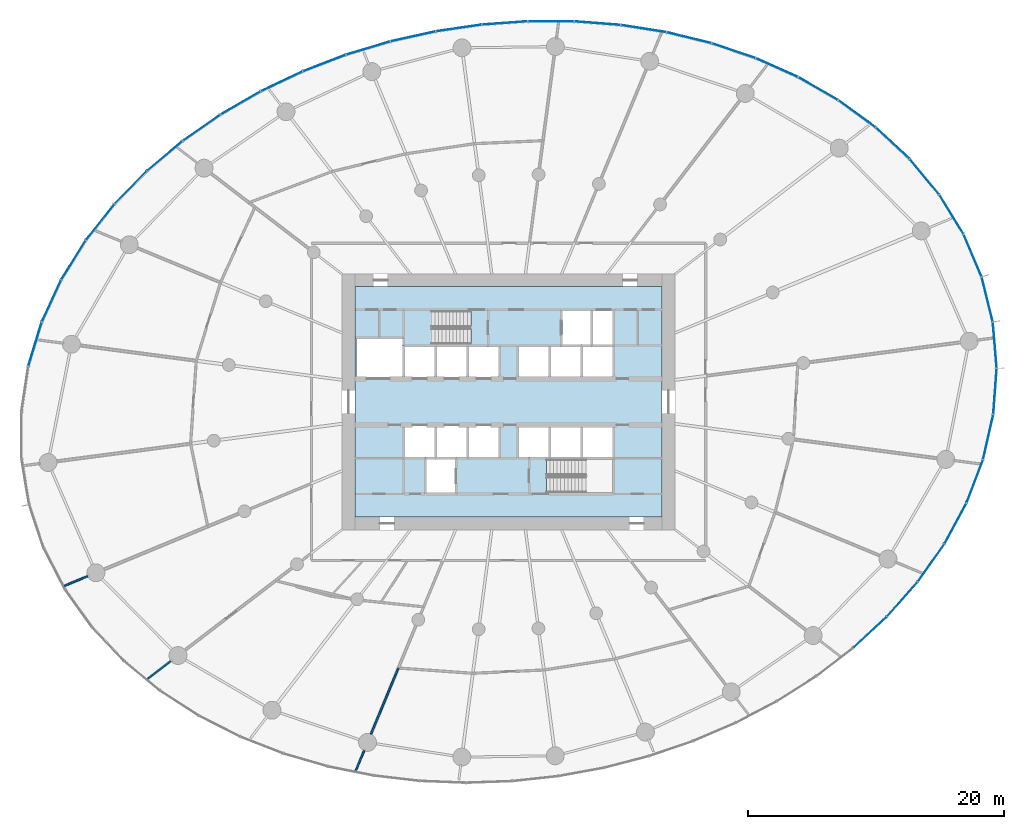
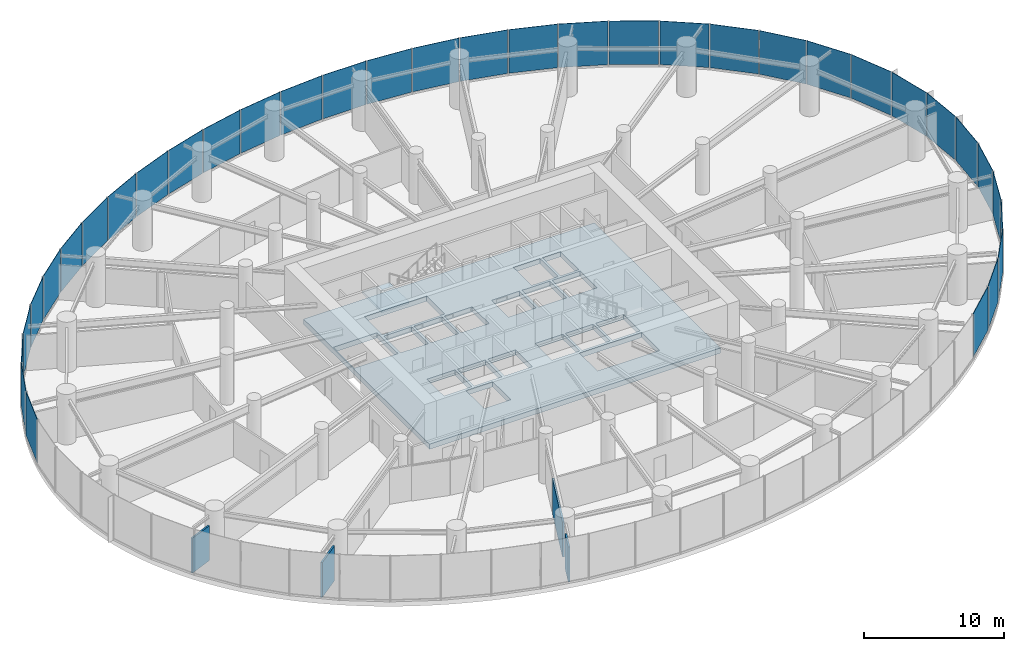
# One storey, part 11 of 19: 35 plates, 4 walls, 2 slabs, 8 elements without a shape of their own.
"""IFC4 building model written with IfcOpenShell, lengths in metres."""

from ifc_helpers import new_model, si_unit, direction, frame, frame_2d, origin, origin_2d, place, context, subcontext, project, spatial, line, indexed_curve, rectangle, outline, extrude, source, transform, mapped, material, layer, layer_set, type_object, element, aggregate, save


model = new_model("IFC4")

# Units and contexts
model_context = context("Model", 3, precision=1e-05, world=origin(), true_north=direction((0.0, 1.0)))
body_context = subcontext(model_context, "Body", "Model", "MODEL_VIEW")
ifc_project = project(units=[si_unit("LENGTHUNIT", "METRE"), si_unit("AREAUNIT", "SQUARE_METRE"), si_unit("VOLUMEUNIT", "CUBIC_METRE"), si_unit("PLANEANGLEUNIT", "RADIAN"), si_unit("MASSUNIT", "GRAM", prefix="KILO")], contexts=[model_context])

# Site, building, storey
site_placement = place(None, origin())
site = spatial("IfcSite", under=ifc_project, at=site_placement, CompositionType="ELEMENT")
building_placement = place(site_placement, origin())
building = spatial("IfcBuilding", under=site, at=building_placement, Name="Spindrift Exchange Tower", CompositionType="ELEMENT")
storey_placement = place(building_placement, frame((0.0, 0.0, 44.60009765625)))
storey = spatial("IfcBuildingStorey", under=building, at=storey_placement, Name="L10", CompositionType="ELEMENT", Elevation=44.60009765625)

# Slab
ifc_material_1 = material(Name="Concrete 50 MPa", Category="concrete")
ifc_layer_1 = layer(ifc_material_1, 0.449951171875)
ifc_layer_set_1 = layer_set([ifc_layer_1], Name="SL-CORE-FLOOR-450")
slab_type_1 = type_object("IfcSlabType", Name="SL-CORE-FLOOR-450", PredefinedType="FLOOR", material=ifc_layer_set_1)
slab_1_placement = place(storey_placement, frame((0.0, 0.0, -0.4501953125)))
element("IfcSlab", 1, at=slab_1_placement, inside=storey, type_object=slab_type_1, Name="L10 Core floor slab", PredefinedType="FLOOR", context=body_context, shape_type="SweptSolid", body=[
    extrude(outline(indexed_curve([(40.0, 39.0), (40.0, 57.0), (64.0, 57.0), (64.0, 39.0)], segments=[line(1, 2, 3, 4, 1)], self_intersect=False), holes=[indexed_curve([(47.800048828125, 43.5), (45.60009765625, 43.5), (45.60009765625, 40.89990234375), (47.800048828125, 40.89990234375)], segments=[line(1, 2, 3, 4, 1)], self_intersect=False), indexed_curve([(46.199951171875, 46.10009765625), (43.89990234375, 46.10009765625), (43.89990234375, 43.699951171875), (46.199951171875, 43.699951171875)], segments=[line(1, 2, 3, 4, 1)], self_intersect=False), indexed_curve([(48.699951171875, 46.10009765625), (46.39990234375, 46.10009765625), (46.39990234375, 43.699951171875), (48.699951171875, 43.699951171875)], segments=[line(1, 2, 3, 4, 1)], self_intersect=False), indexed_curve([(51.199951171875, 46.10009765625), (48.89990234375, 46.10009765625), (48.89990234375, 43.699951171875), (51.199951171875, 43.699951171875)], segments=[line(1, 2, 3, 4, 1)], self_intersect=False), indexed_curve([(46.199951171875, 52.300048828125), (43.89990234375, 52.300048828125), (43.89990234375, 49.89990234375), (46.199951171875, 49.89990234375)], segments=[line(1, 2, 3, 4, 1)], self_intersect=False), indexed_curve([(48.699951171875, 52.300048828125), (46.39990234375, 52.300048828125), (46.39990234375, 49.89990234375), (48.699951171875, 49.89990234375)], segments=[line(1, 2, 3, 4, 1)], self_intersect=False), indexed_curve([(51.199951171875, 52.300048828125), (48.89990234375, 52.300048828125), (48.89990234375, 49.89990234375), (51.199951171875, 49.89990234375)], segments=[line(1, 2, 3, 4, 1)], self_intersect=False), indexed_curve([(43.699951171875, 49.89990234375), (43.699951171875, 52.89990234375), (40.10009765625, 52.89990234375), (40.10009765625, 49.89990234375)], segments=[line(1, 2, 3, 4, 1)], self_intersect=False), indexed_curve([(49.0439453125, 55.093994140625), (43.906005859375, 55.093994140625), (43.906005859375, 52.506103515625), (49.0439453125, 52.506103515625)], segments=[line(1, 2, 3, 4, 1)], self_intersect=False), indexed_curve([(60.093994140625, 40.906005859375), (60.093994140625, 43.493896484375), (54.9560546875, 43.493896484375), (54.9560546875, 40.906005859375)], segments=[line(1, 2, 3, 4, 1)], self_intersect=False), indexed_curve([(55.10009765625, 46.10009765625), (52.800048828125, 46.10009765625), (52.800048828125, 43.699951171875), (55.10009765625, 43.699951171875)], segments=[line(1, 2, 3, 4, 1)], self_intersect=False), indexed_curve([(57.60009765625, 46.10009765625), (55.300048828125, 46.10009765625), (55.300048828125, 43.699951171875), (57.60009765625, 43.699951171875)], segments=[line(1, 2, 3, 4, 1)], self_intersect=False), indexed_curve([(60.10009765625, 46.10009765625), (57.800048828125, 46.10009765625), (57.800048828125, 43.699951171875), (60.10009765625, 43.699951171875)], segments=[line(1, 2, 3, 4, 1)], self_intersect=False), indexed_curve([(55.10009765625, 52.300048828125), (52.800048828125, 52.300048828125), (52.800048828125, 49.89990234375), (55.10009765625, 49.89990234375)], segments=[line(1, 2, 3, 4, 1)], self_intersect=False), indexed_curve([(57.60009765625, 52.300048828125), (55.300048828125, 52.300048828125), (55.300048828125, 49.89990234375), (57.60009765625, 49.89990234375)], segments=[line(1, 2, 3, 4, 1)], self_intersect=False), indexed_curve([(60.10009765625, 52.300048828125), (57.800048828125, 52.300048828125), (57.800048828125, 49.89990234375), (60.10009765625, 49.89990234375)], segments=[line(1, 2, 3, 4, 1)], self_intersect=False), indexed_curve([(58.39990234375, 52.5), (58.39990234375, 55.10009765625), (56.199951171875, 55.10009765625), (56.199951171875, 52.5)], segments=[line(1, 2, 3, 4, 1)], self_intersect=False), indexed_curve([(60.10009765625, 52.5), (60.10009765625, 55.10009765625), (58.60009765625, 55.10009765625), (58.60009765625, 52.5)], segments=[line(1, 2, 3, 4, 1)], self_intersect=False)]), origin(), (0.0, 0.0, 1.0), 0.4501953125),
])

# Stair, slab
stair_type = type_object("IfcStairType", Name="ST-1250-R183", PredefinedType="HALF_TURN_STAIR", material=ifc_material_1)
stair_placement = place(storey_placement, origin())
stair = element("IfcStair", 2, at=stair_placement, inside=storey, type_object=stair_type, Name="L10 Exit stair ST1", PredefinedType="HALF_TURN_STAIR")
ifc_layer_2 = layer(ifc_material_1, 0.199951171875)
ifc_layer_set_2 = layer_set([ifc_layer_2], Name="SL-LANDING")
slab_type_2 = type_object("IfcSlabType", Name="SL-LANDING", PredefinedType="LANDING", material=ifc_layer_set_2)
slab_2_placement = place(storey_placement, frame((0.0, 0.0, 2.0)))
slab_2 = element("IfcSlab", 3, at=slab_2_placement, type_object=slab_type_2, Name="ST1 landing 1", PredefinedType="LANDING", context=body_context, shape_type="SweptSolid", body=[
    extrude(outline(indexed_curve([(46.050048828125, 52.39990234375), (43.800048828125, 52.39990234375), (43.800048828125, 55.199951171875), (46.050048828125, 55.199951171875)], segments=[line(1, 2, 3, 4, 1)], self_intersect=False)), origin(), (0.0, 0.0, 1.0), 0.199951171875),
])
aggregate(stair, [slab_2])

# Curtain wall, plate
ifc_material_2 = material(Name="Fritted laminated glass with bronze frame", Category="glass")
ifc_layer_3 = layer(ifc_material_2, 0.199951171875)
ifc_layer_set_3 = layer_set([ifc_layer_3], Name="ZONE 1 BRONZE FRITTED WALL")
curtain_wall_type = type_object("IfcCurtainWallType", Name="ZONE 1 BRONZE FRITTED WALL", PredefinedType="NOTDEFINED", material=ifc_layer_set_3)
curtain_wall_1_placement = place(storey_placement, origin())
curtain_wall_1 = element("IfcCurtainWall", 4, at=curtain_wall_1_placement, inside=storey, type_object=curtain_wall_type, Name="L10 Zone 1 Bronze Fritted Wall run 5", PredefinedType="NOTDEFINED")
ifc_material_3 = material(Name="Bronze fritted laminated glass, dense frit", Category="glass")
ifc_layer_4 = layer(ifc_material_3, 0.035888671875)
ifc_layer_set_4 = layer_set([ifc_layer_4], Name="ZONE 1 BRONZE FRITTED WALL PANEL DENSE FRIT 180")
plate_type_1 = type_object("IfcPlateType", Name="ZONE 1 BRONZE FRITTED WALL PANEL DENSE FRIT 180", PredefinedType="CURTAIN_PANEL", material=ifc_layer_set_4)
shared_shape_1 = source(origin(), body_context, "Body", "SweptSolid", [
    extrude(rectangle(XDim=3.5458984375, YDim=0.035888671875, at=origin_2d()), origin(), (0.0, 0.0, 1.0), 3.800048828125),
])
plate_1_placement = place(storey_placement, frame((17.989501953125, 59.07080078125, 0.14990234375), z_axis=(0.0, 0.0, 1.0), x_axis=(-0.527683923122, -0.849440802692, 0.0)))
plate_1 = element("IfcPlate", 5, at=plate_1_placement, type_object=plate_type_1, Name="L10 panel CW-1.25", PredefinedType="CURTAIN_PANEL", context=body_context, shape_type="MappedRepresentation", body=[
    mapped(shared_shape_1, transform((0.0, 0.0, 0.0), scale=1.0)),
])

curtain_wall_2_placement = place(storey_placement, origin())
curtain_wall_2 = element("IfcCurtainWall", 6, at=curtain_wall_2_placement, inside=storey, type_object=curtain_wall_type, Name="L10 Zone 1 Bronze Fritted Wall run 10", PredefinedType="NOTDEFINED")
plate_2_placement = place(storey_placement, frame((86.91748046875, 38.49609375, 0.14990234375), z_axis=(0.0, 0.0, 1.0), x_axis=(0.474896325387, 0.880041749086, 0.0)))
plate_2 = element("IfcPlate", 7, at=plate_2_placement, type_object=plate_type_1, Name="L10 panel CW-1.55", PredefinedType="CURTAIN_PANEL", context=body_context, shape_type="MappedRepresentation", body=[
    mapped(shared_shape_1, transform((0.0, 0.0, 0.0), scale=1.0)),
])

curtain_wall_3_placement = place(storey_placement, origin())
curtain_wall_3 = element("IfcCurtainWall", 8, at=curtain_wall_3_placement, inside=storey, type_object=curtain_wall_type, Name="L10 Zone 1 Bronze Fritted Wall run 9", PredefinedType="NOTDEFINED")
ifc_layer_5 = layer(ifc_material_3, 0.035888671875)
ifc_layer_set_5 = layer_set([ifc_layer_5], Name="ZONE 1 BRONZE FRITTED WALL PANEL DENSE FRIT 300")
plate_type_2 = type_object("IfcPlateType", Name="ZONE 1 BRONZE FRITTED WALL PANEL DENSE FRIT 300", PredefinedType="CURTAIN_PANEL", material=ifc_layer_set_5)
shared_shape_2 = source(origin(), body_context, "Body", "SweptSolid", [
    extrude(rectangle(XDim=3.54638671875, YDim=0.035888671875, at=origin_2d()), origin(), (0.0, 0.0, 1.0), 3.800048828125),
])
plate_3_placement = place(storey_placement, frame((85.011474609375, 35.418701171875, 0.14990234375), z_axis=(0.0, 0.0, 1.0), x_axis=(0.576349594377, 0.817203245871, 0.0)))
plate_3 = element("IfcPlate", 9, at=plate_3_placement, type_object=plate_type_2, Name="L10 panel CW-1.54", PredefinedType="CURTAIN_PANEL", context=body_context, shape_type="MappedRepresentation", body=[
    mapped(shared_shape_2, transform((0.0, 0.0, 0.0), scale=1.0)),
])

curtain_wall_4_placement = place(storey_placement, origin())
curtain_wall_4 = element("IfcCurtainWall", 10, at=curtain_wall_4_placement, inside=storey, type_object=curtain_wall_type, Name="L10 Zone 1 Bronze Fritted Wall run 4", PredefinedType="NOTDEFINED")
shared_shape_3 = source(origin(), body_context, "Body", "SweptSolid", [
    extrude(rectangle(XDim=3.546875, YDim=0.035888671875, at=origin_2d()), origin(), (0.0, 0.0, 1.0), 3.800048828125),
])
plate_4_placement = place(storey_placement, frame((25.124267578125, 67.2109375, 0.14990234375), z_axis=(0.0, 0.0, 1.0), x_axis=(-0.765522518547, -0.643409102825, 0.0)))
plate_4 = element("IfcPlate", 11, at=plate_4_placement, type_object=plate_type_2, Name="L10 panel CW-1.22", PredefinedType="CURTAIN_PANEL", context=body_context, shape_type="MappedRepresentation", body=[
    mapped(shared_shape_3, transform((0.0, 0.0, 0.0), scale=1.0)),
])

# Plate
plate_5_placement = place(storey_placement, frame((80.23388671875, 29.988037109375, 0.14990234375), z_axis=(0.0, 0.0, 1.0), x_axis=(0.734115147297, 0.679024999914, 0.0)))
plate_5 = element("IfcPlate", 12, at=plate_5_placement, type_object=plate_type_2, Name="L10 panel CW-1.52", PredefinedType="CURTAIN_PANEL", context=body_context, shape_type="MappedRepresentation", body=[
    mapped(shared_shape_3, transform((0.0, 0.0, 0.0), scale=1.0)),
])

# Curtain wall, plate
curtain_wall_5_placement = place(storey_placement, origin())
curtain_wall_5 = element("IfcCurtainWall", 13, at=curtain_wall_5_placement, inside=storey, type_object=curtain_wall_type, Name="L10 Zone 1 Bronze Fritted Wall run 2", PredefinedType="NOTDEFINED")
ifc_layer_6 = layer(ifc_material_3, 0.035888671875)
ifc_layer_set_6 = layer_set([ifc_layer_6], Name="ZONE 1 BRONZE FRITTED WALL PANEL DENSE FRIT 420")
plate_type_3 = type_object("IfcPlateType", Name="ZONE 1 BRONZE FRITTED WALL PANEL DENSE FRIT 420", PredefinedType="CURTAIN_PANEL", material=ifc_layer_set_6)
shared_shape_4 = source(origin(), body_context, "Body", "SweptSolid", [
    extrude(rectangle(XDim=3.547119140625, YDim=0.035888671875, at=origin_2d()), origin(), (0.0, 0.0, 1.0), 3.800048828125),
])
plate_6_placement = place(storey_placement, frame((66.1025390625, 76.45361328125, 0.14990234375), z_axis=(0.0, 0.0, 1.0), x_axis=(-0.971579700575, 0.236712664281, 0.0)))
plate_6 = element("IfcPlate", 14, at=plate_6_placement, type_object=plate_type_3, Name="L10 panel CW-1.10", PredefinedType="CURTAIN_PANEL", context=body_context, shape_type="MappedRepresentation", body=[
    mapped(shared_shape_4, transform((0.0, 0.0, 0.0), scale=1.0)),
])

# Plate
plate_7_placement = place(storey_placement, frame((31.05810546875, 71.359619140625, 0.14990234375), z_axis=(0.0, 0.0, 1.0), x_axis=(-0.865787941428, -0.500411071498, 0.0)))
plate_7 = element("IfcPlate", 15, at=plate_7_placement, type_object=plate_type_3, Name="L10 panel CW-1.20", PredefinedType="CURTAIN_PANEL", context=body_context, shape_type="MappedRepresentation", body=[
    mapped(shared_shape_4, transform((0.0, 0.0, 0.0), scale=1.0)),
])

# Curtain wall, plates
curtain_wall_6_placement = place(storey_placement, origin())
curtain_wall_6 = element("IfcCurtainWall", 16, at=curtain_wall_6_placement, inside=storey, type_object=curtain_wall_type, Name="L10 Zone 1 Bronze Fritted Wall run 3", PredefinedType="NOTDEFINED")
shared_shape_5 = source(origin(), body_context, "Body", "SweptSolid", [
    extrude(rectangle(XDim=3.54736328125, YDim=0.035888671875, at=origin_2d()), origin(), (0.0, 0.0, 1.0), 3.800048828125),
])
plate_8_placement = place(storey_placement, frame((41.0283203125, 75.64501953125, 0.14990234375), z_axis=(0.0, 0.0, 1.0), x_axis=(-0.9577954075, -0.287450791217, 0.0)))
plate_8 = element("IfcPlate", 17, at=plate_8_placement, type_object=plate_type_2, Name="L10 panel CW-1.17", PredefinedType="CURTAIN_PANEL", context=body_context, shape_type="MappedRepresentation", body=[
    mapped(shared_shape_5, transform((0.0, 0.0, 0.0), scale=1.0)),
])
plate_9_placement = place(storey_placement, frame((37.597900390625, 74.473876953125, 0.14990234375), z_axis=(0.0, 0.0, 1.0), x_axis=(-0.933604192306, -0.358306031359, 0.0)))
plate_9 = element("IfcPlate", 18, at=plate_9_placement, type_object=plate_type_2, Name="L10 panel CW-1.18", PredefinedType="CURTAIN_PANEL", context=body_context, shape_type="MappedRepresentation", body=[
    mapped(shared_shape_5, transform((0.0, 0.0, 0.0), scale=1.0)),
])
shared_shape_6 = source(origin(), body_context, "Body", "SweptSolid", [
    extrude(rectangle(XDim=3.54736328125, YDim=0.035888671875, at=origin_2d()), origin(), (0.0, 0.0, 1.0), 3.800048828125),
])
plate_10_placement = place(storey_placement, frame((51.705078125, 77.60693359375, 0.14990234375), z_axis=(0.0, 0.0, 1.0), x_axis=(-0.997398054056, -0.072091065773, 0.0)))
plate_10 = element("IfcPlate", 19, at=plate_10_placement, type_object=plate_type_1, Name="L10 panel CW-1.14", PredefinedType="CURTAIN_PANEL", context=body_context, shape_type="MappedRepresentation", body=[
    mapped(shared_shape_6, transform((0.0, 0.0, 0.0), scale=1.0)),
])

# Plate
shared_shape_7 = source(origin(), body_context, "Body", "SweptSolid", [
    extrude(rectangle(XDim=3.54736328125, YDim=0.035888671875, at=origin_2d()), origin(), (0.0, 0.0, 1.0), 3.800048828125),
])
plate_11_placement = place(storey_placement, frame((62.549072265625, 77.165771484375, 0.14990234375), z_axis=(0.0, 0.0, 1.0), x_axis=(-0.987772291015, 0.155903499327, 0.0)))
plate_11 = element("IfcPlate", 20, at=plate_11_placement, type_object=plate_type_3, Name="L10 panel CW-1.11", PredefinedType="CURTAIN_PANEL", context=body_context, shape_type="MappedRepresentation", body=[
    mapped(shared_shape_7, transform((0.0, 0.0, 0.0), scale=1.0)),
])

plate_12_placement = place(storey_placement, frame((58.94970703125, 77.589599609375, 0.14990234375), z_axis=(0.0, 0.0, 1.0), x_axis=(-0.996969014732, 0.077799637946, 0.0)))
plate_12 = element("IfcPlate", 21, at=plate_12_placement, type_object=plate_type_3, Name="L10 panel CW-1.12", PredefinedType="CURTAIN_PANEL", context=body_context, shape_type="MappedRepresentation", body=[
    mapped(shared_shape_7, transform((0.0, 0.0, 0.0), scale=1.0)),
])

plate_13_placement = place(storey_placement, frame((55.32763671875, 77.734130859375, 0.14990234375), z_axis=(0.0, 0.0, 1.0), x_axis=(-0.999998136906, 0.001930332954, 0.0)))
plate_13 = element("IfcPlate", 22, at=plate_13_placement, type_object=plate_type_3, Name="L10 panel CW-1.13", PredefinedType="CURTAIN_PANEL", context=body_context, shape_type="MappedRepresentation", body=[
    mapped(shared_shape_7, transform((0.0, 0.0, 0.0), scale=1.0)),
])

plate_14_placement = place(storey_placement, frame((44.5361328125, 76.558837890625, 0.14990234375), z_axis=(0.0, 0.0, 1.0), x_axis=(-0.976314136097, -0.216357823196, 0.0)))
plate_14 = element("IfcPlate", 23, at=plate_14_placement, type_object=plate_type_3, Name="L10 panel CW-1.16", PredefinedType="CURTAIN_PANEL", context=body_context, shape_type="MappedRepresentation", body=[
    mapped(shared_shape_7, transform((0.0, 0.0, 0.0), scale=1.0)),
])

plate_15_placement = place(storey_placement, frame((34.2666015625, 73.04541015625, 0.14990234375), z_axis=(0.0, 0.0, 1.0), x_axis=(-0.903201992592, -0.429215750616, 0.0)))
plate_15 = element("IfcPlate", 24, at=plate_15_placement, type_object=plate_type_3, Name="L10 panel CW-1.19", PredefinedType="CURTAIN_PANEL", context=body_context, shape_type="MappedRepresentation", body=[
    mapped(shared_shape_7, transform((0.0, 0.0, 0.0), scale=1.0)),
])

shared_shape_8 = source(origin(), body_context, "Body", "SweptSolid", [
    extrude(rectangle(XDim=3.547119140625, YDim=0.035888671875, at=origin_2d()), origin(), (0.0, 0.0, 1.0), 3.800048828125),
])
plate_16_placement = place(storey_placement, frame((28.000244140625, 69.414794921875, 0.14990234375), z_axis=(0.0, 0.0, 1.0), x_axis=(-0.820341561532, -0.571873869331, 0.0)))
plate_16 = element("IfcPlate", 25, at=plate_16_placement, type_object=plate_type_1, Name="L10 panel CW-1.21", PredefinedType="CURTAIN_PANEL", context=body_context, shape_type="MappedRepresentation", body=[
    mapped(shared_shape_8, transform((0.0, 0.0, 0.0), scale=1.0)),
])

shared_shape_9 = source(origin(), body_context, "Body", "SweptSolid", [
    extrude(rectangle(XDim=3.546875, YDim=0.035888671875, at=origin_2d()), origin(), (0.0, 0.0, 1.0), 3.800048828125),
])
plate_17_placement = place(storey_placement, frame((72.956298828125, 74.123291015625, 0.14990234375), z_axis=(0.0, 0.0, 1.0), x_axis=(-0.913257013232, 0.407383882576, 0.0)))
plate_17 = element("IfcPlate", 26, at=plate_17_placement, type_object=plate_type_3, Name="L10 panel CW-1.8", PredefinedType="CURTAIN_PANEL", context=body_context, shape_type="MappedRepresentation", body=[
    mapped(shared_shape_9, transform((0.0, 0.0, 0.0), scale=1.0)),
])

shared_shape_10 = source(origin(), body_context, "Body", "SweptSolid", [
    extrude(rectangle(XDim=3.546630859375, YDim=0.035888671875, at=origin_2d()), origin(), (0.0, 0.0, 1.0), 3.800048828125),
])
plate_18_placement = place(storey_placement, frame((76.185791015625, 72.48291015625, 0.14990234375), z_axis=(0.0, 0.0, 1.0), x_axis=(-0.867674363563, 0.497132979007, 0.0)))
plate_18 = element("IfcPlate", 27, at=plate_18_placement, type_object=plate_type_1, Name="L10 panel CW-1.7", PredefinedType="CURTAIN_PANEL", context=body_context, shape_type="MappedRepresentation", body=[
    mapped(shared_shape_10, transform((0.0, 0.0, 0.0), scale=1.0)),
])

shared_shape_11 = source(origin(), body_context, "Body", "SweptSolid", [
    extrude(rectangle(XDim=3.545654296875, YDim=0.035888671875, at=origin_2d()), origin(), (0.0, 0.0, 1.0), 3.800048828125),
])
plate_19_placement = place(storey_placement, frame((16.275146484375, 55.884033203125, 0.14990234375), z_axis=(0.0, 0.0, 1.0), x_axis=(-0.417940012166, -0.90847462608, 0.0)))
plate_19 = element("IfcPlate", 28, at=plate_19_placement, type_object=plate_type_1, Name="L10 panel CW-1.26", PredefinedType="CURTAIN_PANEL", context=body_context, shape_type="MappedRepresentation", body=[
    mapped(shared_shape_11, transform((0.0, 0.0, 0.0), scale=1.0)),
])

# Curtain wall, plate
curtain_wall_7_placement = place(storey_placement, origin())
curtain_wall_7 = element("IfcCurtainWall", 29, at=curtain_wall_7_placement, inside=storey, type_object=curtain_wall_type, Name="L10 Zone 1 Bronze Fritted Wall run 1", PredefinedType="NOTDEFINED")
shared_shape_12 = source(origin(), body_context, "Body", "SweptSolid", [
    extrude(rectangle(XDim=3.54443359375, YDim=0.035888671875, at=origin_2d()), origin(), (0.0, 0.0, 1.0), 3.800048828125),
])
plate_20_placement = place(storey_placement, frame((89.402587890625, 55.998291015625, 0.14990234375), z_axis=(0.0, 0.0, 1.0), x_axis=(-0.240756603434, 0.97058552323, 0.0)))
plate_20 = element("IfcPlate", 30, at=plate_20_placement, type_object=plate_type_2, Name="L10 panel CW-1.1", PredefinedType="CURTAIN_PANEL", context=body_context, shape_type="MappedRepresentation", body=[
    mapped(shared_shape_12, transform((0.0, 0.0, 0.0), scale=1.0)),
])

# Plate
plate_21_placement = place(storey_placement, frame((89.990478515625, 52.43359375, 0.14990234375), z_axis=(0.0, 0.0, 1.0), x_axis=(-0.083599578708, 0.996499428219, 0.0)))
plate_21 = element("IfcPlate", 31, at=plate_21_placement, type_object=plate_type_2, Name="L10 panel CW-1.59", PredefinedType="CURTAIN_PANEL", context=body_context, shape_type="MappedRepresentation", body=[
    mapped(shared_shape_12, transform((0.0, 0.0, 0.0), scale=1.0)),
])

shared_shape_13 = source(origin(), body_context, "Body", "SweptSolid", [
    extrude(rectangle(XDim=3.544921875, YDim=0.035888671875, at=origin_2d()), origin(), (0.0, 0.0, 1.0), 3.800048828125),
])
plate_22_placement = place(storey_placement, frame((86.605712890625, 62.639892578125, 0.14990234375), z_axis=(0.0, 0.0, 1.0), x_axis=(-0.523260282562, 0.852172914785, 0.0)))
plate_22 = element("IfcPlate", 32, at=plate_22_placement, type_object=plate_type_3, Name="L10 panel CW-1.3", PredefinedType="CURTAIN_PANEL", context=body_context, shape_type="MappedRepresentation", body=[
    mapped(shared_shape_13, transform((0.0, 0.0, 0.0), scale=1.0)),
])

plate_23_placement = place(storey_placement, frame((89.473876953125, 45.24560546875, 0.14990234375), z_axis=(0.0, 0.0, 1.0), x_axis=(0.221956947777, 0.975056466741, 0.0)))
plate_23 = element("IfcPlate", 33, at=plate_23_placement, type_object=plate_type_3, Name="L10 panel CW-1.57", PredefinedType="CURTAIN_PANEL", context=body_context, shape_type="MappedRepresentation", body=[
    mapped(shared_shape_13, transform((0.0, 0.0, 0.0), scale=1.0)),
])

shared_shape_14 = source(origin(), body_context, "Body", "SweptSolid", [
    extrude(rectangle(XDim=3.545166015625, YDim=0.035888671875, at=origin_2d()), origin(), (0.0, 0.0, 1.0), 3.800048828125),
])
plate_24_placement = place(storey_placement, frame((14.989501953125, 52.503173828125, 0.14990234375), z_axis=(0.0, 0.0, 1.0), x_axis=(-0.291293302052, -0.956633792096, 0.0)))
plate_24 = element("IfcPlate", 34, at=plate_24_placement, type_object=plate_type_2, Name="L10 panel CW-1.27", PredefinedType="CURTAIN_PANEL", context=body_context, shape_type="MappedRepresentation", body=[
    mapped(shared_shape_14, transform((0.0, 0.0, 0.0), scale=1.0)),
])

aggregate(curtain_wall_1, [plate_1, plate_19, plate_24])

shared_shape_15 = source(origin(), body_context, "Body", "SweptSolid", [
    extrude(rectangle(XDim=3.5458984375, YDim=0.035888671875, at=origin_2d()), origin(), (0.0, 0.0, 1.0), 3.800048828125),
])
plate_25_placement = place(storey_placement, frame((82.017578125, 68.21142578125, 0.14990234375), z_axis=(0.0, 0.0, 1.0), x_axis=(-0.732317122925, 0.680963751951, 0.0)))
plate_25 = element("IfcPlate", 35, at=plate_25_placement, type_object=plate_type_3, Name="L10 panel CW-1.5", PredefinedType="CURTAIN_PANEL", context=body_context, shape_type="MappedRepresentation", body=[
    mapped(shared_shape_15, transform((0.0, 0.0, 0.0), scale=1.0)),
])

shared_shape_16 = source(origin(), body_context, "Body", "SweptSolid", [
    extrude(rectangle(XDim=3.546875, YDim=0.035888671875, at=origin_2d()), origin(), (0.0, 0.0, 1.0), 3.800048828125),
])
plate_26_placement = place(storey_placement, frame((69.58251953125, 75.443115234375, 0.14990234375), z_axis=(0.0, 0.0, 1.0), x_axis=(-0.94725111905, 0.320492304836, 0.0)))
plate_26 = element("IfcPlate", 36, at=plate_26_placement, type_object=plate_type_1, Name="L10 panel CW-1.9", PredefinedType="CURTAIN_PANEL", context=body_context, shape_type="MappedRepresentation", body=[
    mapped(shared_shape_16, transform((0.0, 0.0, 0.0), scale=1.0)),
])

aggregate(curtain_wall_5, [plate_18, plate_17, plate_26, plate_6, plate_11, plate_12])

shared_shape_17 = source(origin(), body_context, "Body", "SweptSolid", [
    extrude(rectangle(XDim=3.544677734375, YDim=0.035888671875, at=origin_2d()), origin(), (0.0, 0.0, 1.0), 3.800048828125),
])
plate_27_placement = place(storey_placement, frame((88.26025390625, 59.42626953125, 0.14990234375), z_axis=(0.0, 0.0, 1.0), x_axis=(-0.389636769018, 0.920968614139, 0.0)))
plate_27 = element("IfcPlate", 37, at=plate_27_placement, type_object=plate_type_2, Name="L10 panel CW-1.2", PredefinedType="CURTAIN_PANEL", context=body_context, shape_type="MappedRepresentation", body=[
    mapped(shared_shape_17, transform((0.0, 0.0, 0.0), scale=1.0)),
])

shared_shape_18 = source(origin(), body_context, "Body", "SweptSolid", [
    extrude(rectangle(XDim=3.54541015625, YDim=0.035888671875, at=origin_2d()), origin(), (0.0, 0.0, 1.0), 3.800048828125),
])
plate_28_placement = place(storey_placement, frame((84.501220703125, 65.580810546875, 0.14990234375), z_axis=(0.0, 0.0, 1.0), x_axis=(-0.637756095935, 0.770238380047, 0.0)))
plate_28 = element("IfcPlate", 38, at=plate_28_placement, type_object=plate_type_3, Name="L10 panel CW-1.4", PredefinedType="CURTAIN_PANEL", context=body_context, shape_type="MappedRepresentation", body=[
    mapped(shared_shape_18, transform((0.0, 0.0, 0.0), scale=1.0)),
])

plate_29_placement = place(storey_placement, frame((88.425048828125, 41.784912109375, 0.14990234375), z_axis=(0.0, 0.0, 1.0), x_axis=(0.35670701973, 0.934216303687, 0.0)))
plate_29 = element("IfcPlate", 39, at=plate_29_placement, type_object=plate_type_3, Name="L10 panel CW-1.56", PredefinedType="CURTAIN_PANEL", context=body_context, shape_type="MappedRepresentation", body=[
    mapped(shared_shape_18, transform((0.0, 0.0, 0.0), scale=1.0)),
])

shared_shape_19 = source(origin(), body_context, "Body", "SweptSolid", [
    extrude(rectangle(XDim=3.54638671875, YDim=0.035888671875, at=origin_2d()), origin(), (0.0, 0.0, 1.0), 3.800048828125),
])
plate_30_placement = place(storey_placement, frame((79.224609375, 70.513916015625, 0.14990234375), z_axis=(0.0, 0.0, 1.0), x_axis=(-0.808187280122, 0.588925564268, 0.0)))
plate_30 = element("IfcPlate", 40, at=plate_30_placement, type_object=plate_type_3, Name="L10 panel CW-1.6", PredefinedType="CURTAIN_PANEL", context=body_context, shape_type="MappedRepresentation", body=[
    mapped(shared_shape_19, transform((0.0, 0.0, 0.0), scale=1.0)),
])

aggregate(curtain_wall_7, [plate_20, plate_27, plate_22, plate_28, plate_25, plate_30])

plate_31_placement = place(storey_placement, frame((20.072509765625, 62.031982421875, 0.14990234375), z_axis=(0.0, 0.0, 1.0), x_axis=(-0.621079387757, -0.783747659711, 0.0)))
plate_31 = element("IfcPlate", 41, at=plate_31_placement, type_object=plate_type_3, Name="L10 panel CW-1.24", PredefinedType="CURTAIN_PANEL", context=body_context, shape_type="MappedRepresentation", body=[
    mapped(shared_shape_19, transform((0.0, 0.0, 0.0), scale=1.0)),
])

plate_32_placement = place(storey_placement, frame((82.765869140625, 32.578125, 0.14990234375), z_axis=(0.0, 0.0, 1.0), x_axis=(0.662121868333, 0.749396177916, 0.0)))
plate_32 = element("IfcPlate", 42, at=plate_32_placement, type_object=plate_type_3, Name="L10 panel CW-1.53", PredefinedType="CURTAIN_PANEL", context=body_context, shape_type="MappedRepresentation", body=[
    mapped(shared_shape_19, transform((0.0, 0.0, 0.0), scale=1.0)),
])

aggregate(curtain_wall_3, [plate_5, plate_32, plate_3])

shared_shape_20 = source(origin(), body_context, "Body", "SweptSolid", [
    extrude(rectangle(XDim=3.546630859375, YDim=0.035888671875, at=origin_2d()), origin(), (0.0, 0.0, 1.0), 3.800048828125),
])
plate_33_placement = place(storey_placement, frame((22.46728515625, 64.748779296875, 0.14990234375), z_axis=(0.0, 0.0, 1.0), x_axis=(-0.699705736944, -0.714431159516, 0.0)))
plate_33 = element("IfcPlate", 43, at=plate_33_placement, type_object=plate_type_3, Name="L10 panel CW-1.23", PredefinedType="CURTAIN_PANEL", context=body_context, shape_type="MappedRepresentation", body=[
    mapped(shared_shape_20, transform((0.0, 0.0, 0.0), scale=1.0)),
])

aggregate(curtain_wall_4, [plate_15, plate_7, plate_16, plate_4, plate_33, plate_31])

shared_shape_21 = source(origin(), body_context, "Body", "SweptSolid", [
    extrude(rectangle(XDim=3.544677734375, YDim=0.035888671875, at=origin_2d()), origin(), (0.0, 0.0, 1.0), 3.800048828125),
])
plate_34_placement = place(storey_placement, frame((90.009033203125, 48.8203125, 0.14990234375), z_axis=(0.0, 0.0, 1.0), x_axis=(0.073332191477, 0.997307570258, 0.0)))
plate_34 = element("IfcPlate", 44, at=plate_34_placement, type_object=plate_type_1, Name="L10 panel CW-1.58", PredefinedType="CURTAIN_PANEL", context=body_context, shape_type="MappedRepresentation", body=[
    mapped(shared_shape_21, transform((0.0, 0.0, 0.0), scale=1.0)),
])

aggregate(curtain_wall_2, [plate_2, plate_29, plate_23, plate_34, plate_21])

shared_shape_22 = source(origin(), body_context, "Body", "SweptSolid", [
    extrude(rectangle(XDim=3.547607421875, YDim=0.035888671875, at=origin_2d()), origin(), (0.0, 0.0, 1.0), 3.800048828125),
])
plate_35_placement = place(storey_placement, frame((48.101318359375, 77.213623046875, 0.14990234375), z_axis=(0.0, 0.0, 1.0), x_axis=(-0.989471550346, -0.144727506215, 0.0)))
plate_35 = element("IfcPlate", 45, at=plate_35_placement, type_object=plate_type_3, Name="L10 panel CW-1.15", PredefinedType="CURTAIN_PANEL", context=body_context, shape_type="MappedRepresentation", body=[
    mapped(shared_shape_22, transform((0.0, 0.0, 0.0), scale=1.0)),
])

aggregate(curtain_wall_6, [plate_13, plate_10, plate_35, plate_14, plate_8, plate_9])

# Walls
ifc_material_4 = material(Name="Fire-rated plasterboard partition", Category="gypsum")
ifc_layer_7 = layer(ifc_material_4, 0.139892578125)
ifc_layer_set_7 = layer_set([ifc_layer_7], Name="W-PART-140")
wall_type = type_object("IfcWallType", Name="W-PART-140", PredefinedType="PARTITIONING", material=ifc_layer_set_7)
wall_1_placement = place(storey_placement, frame((43.37255859375, 27.17138671875, 0.0), z_axis=(0.0, 0.0, 1.0), x_axis=(-0.382670118501, -0.923885047182, 0.0)))
element("IfcWall", 46, at=wall_1_placement, inside=storey, type_object=wall_type, Name="L10 Partition wall 90", PredefinedType="PARTITIONING", context=body_context, shape_type="SweptSolid", body=[
    extrude(rectangle(XDim=5.554443359375, YDim=0.139892578125, at=frame_2d((2.77734375, 0.0))), origin(), (0.0, 0.0, 1.0), 3.0498046875),
])
wall_2_placement = place(storey_placement, frame((25.605712890625, 27.746826171875, 0.0), z_axis=(0.0, 0.0, 1.0), x_axis=(-0.793384830347, -0.608720388172, 0.0)))
element("IfcWall", 47, at=wall_2_placement, inside=storey, type_object=wall_type, Name="L10 Partition wall 111", PredefinedType="PARTITIONING", context=body_context, shape_type="SweptSolid", body=[
    extrude(rectangle(XDim=2.32421875, YDim=0.139892578125, at=frame_2d((1.162109375, 0.0))), origin(), (0.0, 0.0, 1.0), 3.0498046875),
])
wall_3_placement = place(storey_placement, frame((19.099853515625, 34.372314453125, 0.0), z_axis=(0.0, 0.0, 1.0), x_axis=(-0.923874199787, -0.382696306447, 0.0)))
element("IfcWall", 48, at=wall_3_placement, inside=storey, type_object=wall_type, Name="L10 Partition wall 122", PredefinedType="PARTITIONING", context=body_context, shape_type="SweptSolid", body=[
    extrude(rectangle(XDim=1.9609375, YDim=0.139892578125, at=frame_2d((0.98046875, 0.0))), origin(), (0.0, 0.0, 1.0), 3.0498046875),
])
wall_4_placement = place(storey_placement, frame((40.70751953125, 20.7373046875, 0.0), z_axis=(0.0, 0.0, 1.0), x_axis=(-0.382632674553, -0.923900555452, 0.0)))
element("IfcWall", 49, at=wall_4_placement, inside=storey, type_object=wall_type, Name="L10 Partition wall 125", PredefinedType="PARTITIONING", context=body_context, shape_type="SweptSolid", body=[
    extrude(rectangle(XDim=1.71435546875, YDim=0.139892578125, at=frame_2d((0.857177734375, 0.0))), origin(), (0.0, 0.0, 1.0), 3.0498046875),
])

save(model, "model.ifc")
